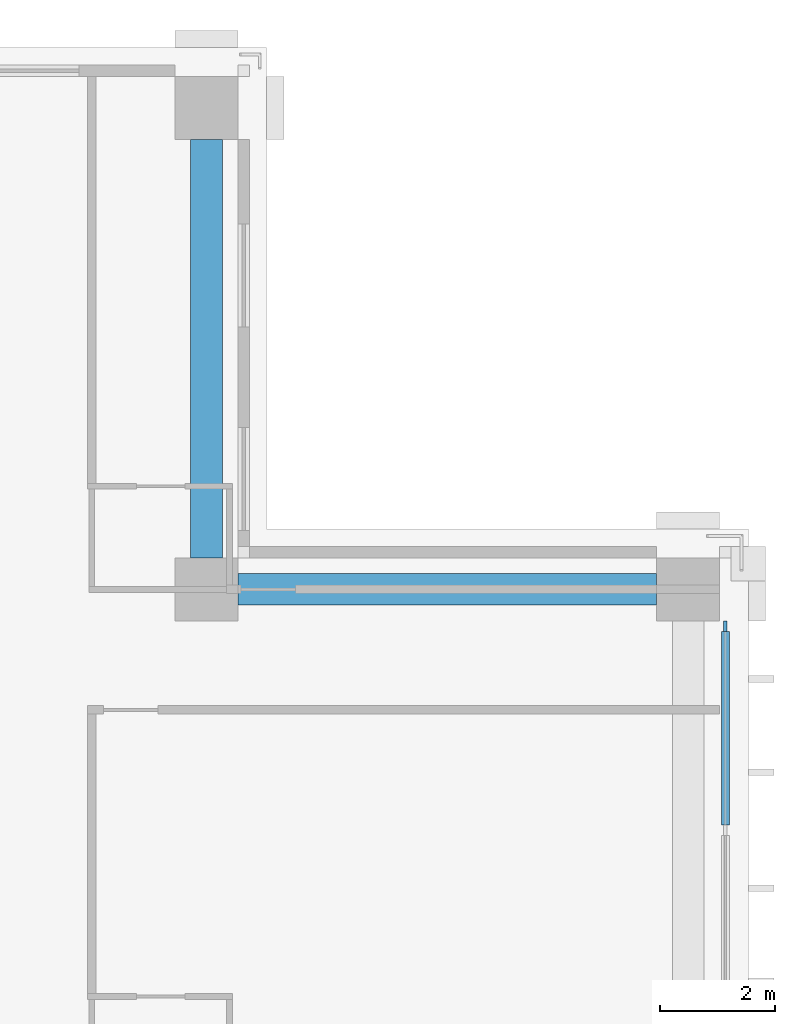
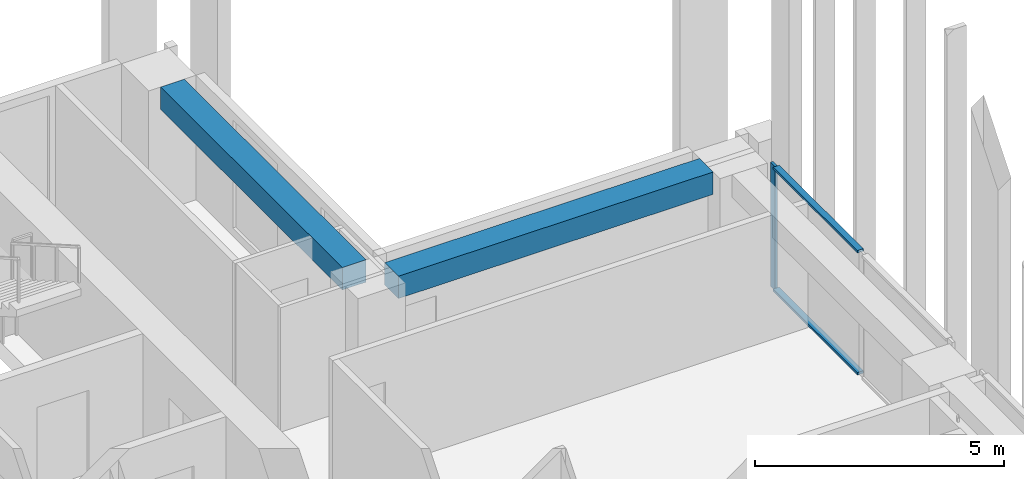
# One storey, part 7 of 16: 3 members, 2 beams, 1 element without a shape of its own.
"""IFC4 building model written with IfcOpenShell, lengths in metres."""

import ifcopenshell
import ifcopenshell.guid

model = None  # the IFC model being written
_history = None  # IfcOwnerHistory: only IFC2X3 demands one
_inside = {}  # id of a spatial element -> (the spatial element, [elements in it])
_under = {}  # id of a project, library or spatial element -> (it, [spatial elements below it])
_declared = {}  # id of a project -> (the project, [libraries it declares])
_typed = {}  # id of a type object -> (the type object, [elements of that type])
_made_of = {}  # id of a material, layer set ... -> (it, [elements and type objects made of it])


def new_model(schema):
    """Start an empty IFC model of exactly this schema.

    Asked for "IFC4X3", IfcOpenShell would pick the latest addendum, in which some entities
    have other attributes; the version numbers below select the first issue.
    IFC2X3 requires an IfcOwnerHistory on every rooted entity: one is made here for all.
    """
    global model, _history
    if schema == "IFC4X3":
        model = ifcopenshell.file(schema_version=(4, 3, 0, 0))
    else:
        model = ifcopenshell.file(schema=schema)
    _inside.clear()
    _under.clear()
    _declared.clear()
    _typed.clear()
    _made_of.clear()
    _history = None
    if model.schema == "IFC2X3":
        org = make("IfcOrganization", Name="unknown")
        user = make(
            "IfcPersonAndOrganization",
            ThePerson=make("IfcPerson", FamilyName="unknown"),
            TheOrganization=org,
        )
        app = make(
            "IfcApplication",
            ApplicationDeveloper=org,
            Version="unknown",
            ApplicationFullName="unknown",
            ApplicationIdentifier="unknown",
        )
        _history = make(
            "IfcOwnerHistory",
            OwningUser=user,
            OwningApplication=app,
            ChangeAction="ADDED",
            CreationDate=0,
        )
    return model


def make(cls, **values):
    """One entity of the class cls with the attributes given. An attribute that is None is left unset."""
    return model.create_entity(
        cls, **{name: value for name, value in values.items() if value is not None}
    )


def rooted(cls, **values):
    """An entity with a GlobalId (a new one), such as an element, a storey or a relation."""
    return make(cls, GlobalId=ifcopenshell.guid.new(), OwnerHistory=_history, **values)


def si_unit(unit_type, name, prefix=None):
    """IfcSIUnit, for example si_unit("LENGTHUNIT", "METRE", prefix="MILLI")."""
    return make("IfcSIUnit", UnitType=unit_type, Prefix=prefix, Name=name)


def assignment(units):
    """IfcUnitAssignment: the units of a project."""
    return None if units is None else make("IfcUnitAssignment", Units=units)


def point(xyz):
    """IfcCartesianPoint."""
    return None if xyz is None else make("IfcCartesianPoint", Coordinates=xyz)


def direction(xyz):
    """IfcDirection."""
    return None if xyz is None else make("IfcDirection", DirectionRatios=xyz)


def frame(location, z_axis=None, x_axis=None):
    """IfcAxis2Placement3D, a coordinate frame: its origin and axes. An axis left out is left unset."""
    return make(
        "IfcAxis2Placement3D",
        Location=point(location),
        Axis=direction(z_axis),
        RefDirection=direction(x_axis),
    )


def frame_2d(location, x_axis=None):
    """IfcAxis2Placement2D, a coordinate frame in the plane: its origin and x axis."""
    return make(
        "IfcAxis2Placement2D", Location=point(location), RefDirection=direction(x_axis)
    )


def origin():
    """The frame at (0, 0, 0) with its axes left unset."""
    return frame((0.0, 0.0, 0.0))


def origin_2d():
    """The frame at (0, 0) in the plane with its x axis left unset."""
    return frame_2d((0.0, 0.0))


def place(relative_to, where):
    """IfcLocalPlacement: puts the frame where relative to a parent placement (None: the world)."""
    return make(
        "IfcLocalPlacement", PlacementRelTo=relative_to, RelativePlacement=where
    )


def context(
    kind, dimensions, precision=None, world=None, true_north=None, identifier=None
):
    """IfcGeometricRepresentationContext, for example the 3D "Model" context."""
    return make(
        "IfcGeometricRepresentationContext",
        ContextIdentifier=identifier,
        ContextType=kind,
        CoordinateSpaceDimension=dimensions,
        Precision=precision,
        WorldCoordinateSystem=world,
        TrueNorth=true_north,
    )


def subcontext(parent, identifier, kind, view, scale=None):
    """IfcGeometricRepresentationSubContext, for example "Body" below "Model"."""
    return make(
        "IfcGeometricRepresentationSubContext",
        ContextIdentifier=identifier,
        ContextType=kind,
        ParentContext=parent,
        TargetScale=scale,
        TargetView=view,
    )


def project(units=None, contexts=None):
    """IfcProject with its units and contexts."""
    return rooted(
        "IfcProject",
        Name="project",
        RepresentationContexts=contexts,
        UnitsInContext=assignment(units),
    )


def spatial(cls, under=None, at=None, **own):
    """A site, building, storey or space (cls), placed at a placement, below another one or the project."""
    s = rooted(cls, ObjectPlacement=at, **own)
    if under is not None:
        _under.setdefault(under.id(), (under, []))[1].append(s)
    return s


def profile(cls, at=None, kind="AREA", **sizes):
    """A parametric profile (cls). Its sizes go by their IFC names, for example OverallWidth=200.0."""
    return make(cls, ProfileType=kind, Position=at, **sizes)


def rectangle(**sizes):
    """IfcRectangleProfileDef."""
    return profile("IfcRectangleProfileDef", **sizes)


def extrude(swept, where, along, depth):
    """IfcExtrudedAreaSolid: the profile swept, set in the frame where, extruded along a direction by depth."""
    return make(
        "IfcExtrudedAreaSolid",
        SweptArea=swept,
        Position=where,
        ExtrudedDirection=direction(along),
        Depth=depth,
    )


def shape(context_of_items, identifier, shape_type, items):
    """IfcShapeRepresentation: the items that make up one representation, for example the "Body"."""
    return make(
        "IfcShapeRepresentation",
        ContextOfItems=context_of_items,
        RepresentationIdentifier=identifier,
        RepresentationType=shape_type,
        Items=items,
    )


def material(Name=None, Category=None):
    """IfcMaterial."""
    return make("IfcMaterial", Name=Name, Category=Category)


def material_profile(
    of_material, cross_section, Name=None, Category=None, Priority=None
):
    """IfcMaterialProfile: a cross section and its material."""
    return make(
        "IfcMaterialProfile",
        Name=Name,
        Material=of_material,
        Profile=cross_section,
        Priority=Priority,
        Category=Category,
    )


def profile_set(profiles, Name=None, composite=None):
    """IfcMaterialProfileSet."""
    return make(
        "IfcMaterialProfileSet",
        Name=Name,
        MaterialProfiles=profiles,
        CompositeProfile=composite,
    )


def made_of(thing, what):
    """Note that an element or type object is made of a material, layer set ...; save() writes the relation."""
    if what is not None:
        _made_of.setdefault(what.id(), (what, []))[1].append(thing)
    return thing


def type_object(cls, material=None, **own):
    """A type object (cls), such as IfcWallType, which elements share."""
    return made_of(rooted(cls, **own), material)


def element(
    cls,
    number,
    at=None,
    inside=None,
    cuts=None,
    type_object=None,
    material=None,
    context=None,
    identifier="Body",
    shape_type=None,
    held_by="IfcProductDefinitionShape",
    body=None,
    shapes=None,
    **own,
):
    """One element of the class cls, such as IfcWall. Its Tag is "e" and its number.

    at: its placement. inside: the storey or other place that contains it. cuts: it is an
    opening in that element (IfcRelVoidsElement). A single representation is given by context,
    identifier, shape_type and body (its items); several are given by shapes. held_by: the class
    of the entity that holds the representations. save() writes the other relations.
    """
    e = rooted(cls, Tag="e%d" % number, ObjectPlacement=at, **own)
    if body is not None:
        shapes = [shape(context, identifier, shape_type, body)]
    if shapes is not None:
        e.Representation = make(held_by, Representations=shapes)
    if inside is not None:
        _inside.setdefault(inside.id(), (inside, []))[1].append(e)
    if cuts is not None:
        rooted(
            "IfcRelVoidsElement", RelatingBuildingElement=cuts, RelatedOpeningElement=e
        )
    if type_object is not None:
        _typed.setdefault(type_object.id(), (type_object, []))[1].append(e)
    return made_of(e, material)


def aggregate(whole, parts):
    """IfcRelAggregates: a whole, such as a stair, and the parts it consists of."""
    return rooted("IfcRelAggregates", RelatingObject=whole, RelatedObjects=parts)


def save(model, path):
    """Write the relations noted so far, then the file.

    IfcRelAggregates (storeys below a building ...), IfcRelContainedInSpatialStructure (elements
    in a storey), IfcRelDefinesByType, IfcRelAssociatesMaterial and IfcRelDeclares: one each for
    every whole, place, type object, material and project.
    """
    for whole, parts in _under.values():
        aggregate(whole, parts)
    for where, things in _inside.values():
        rooted(
            "IfcRelContainedInSpatialStructure",
            RelatedElements=things,
            RelatingStructure=where,
        )
    for kind, things in _typed.values():
        rooted("IfcRelDefinesByType", RelatedObjects=things, RelatingType=kind)
    for what, things in _made_of.values():
        rooted("IfcRelAssociatesMaterial", RelatedObjects=things, RelatingMaterial=what)
    for by, libraries in _declared.values():
        rooted("IfcRelDeclares", RelatingContext=by, RelatedDefinitions=libraries)
    model.write(path)


model = new_model("IFC4")

# Units and contexts
model_context = context("Model", 3, precision=1e-05, world=origin(), true_north=direction((0.0, 1.0)))
body_context = subcontext(model_context, "Body", "Model", "MODEL_VIEW")
ifc_project = project(units=[si_unit("LENGTHUNIT", "METRE"), si_unit("AREAUNIT", "SQUARE_METRE"), si_unit("VOLUMEUNIT", "CUBIC_METRE"), si_unit("PLANEANGLEUNIT", "RADIAN"), si_unit("MASSUNIT", "GRAM", prefix="KILO")], contexts=[model_context])

# Site, building, storey
site_placement = place(None, origin())
site = spatial("IfcSite", under=ifc_project, at=site_placement, CompositionType="ELEMENT")
building_placement = place(site_placement, origin())
building = spatial("IfcBuilding", under=site, at=building_placement, Name="Vermilion Ogive Tower", CompositionType="ELEMENT")
storey_placement = place(building_placement, frame((0.0, 0.0, 133.10009765625)))
storey = spatial("IfcBuildingStorey", under=building, at=storey_placement, Name="L33", CompositionType="ELEMENT", Elevation=133.10009765625)

# Curtain wall, members
ifc_material_1 = material(Name="Low-iron laminated glazing in aluminium frame", Category="aluminium")
curtain_wall_type = type_object("IfcCurtainWallType", Name="Curtain wall CW7", PredefinedType="NOTDEFINED", material=ifc_material_1)
curtain_wall_placement = place(storey_placement, origin())
curtain_wall = element("IfcCurtainWall", 1, at=curtain_wall_placement, inside=storey, type_object=curtain_wall_type, Name="Glazed skin E3", PredefinedType="NOTDEFINED")
ifc_material_2 = material(Name="Aluminium mullion", Category="aluminium")
ifc_material_profile_1 = material_profile(ifc_material_2, rectangle(XDim=0.06005859375, YDim=0.179931640625, at=origin_2d()), Name="AL 60x180")
ifc_profile_set_1 = profile_set([ifc_material_profile_1], Name="Aluminium mullion")
member_type_1 = type_object("IfcMemberType", Name="CW7 mullion 60x180", PredefinedType="MULLION", material=ifc_profile_set_1)
member_1_placement = place(storey_placement, frame((21.64990234375, 11.9599609375, 0.0), z_axis=(0.0, 0.0, 1.0), x_axis=(-1.0, 0.0, 0.0)))
member_1 = element("IfcMember", 2, at=member_1_placement, type_object=member_type_1, Name="CW7-E3 mullion 3", PredefinedType="MULLION", context=body_context, shape_type="SweptSolid", body=[
    extrude(rectangle(XDim=0.06005859375, YDim=0.179931640625, at=origin_2d()), origin(), (0.0, 0.0, 1.0), 3.0498046875),
])
ifc_material_3 = material(Name="Aluminium transom", Category="aluminium")
ifc_material_profile_2 = material_profile(ifc_material_3, rectangle(XDim=0.139892578125, YDim=0.06005859375, at=origin_2d()), Name="AL 60x140")
ifc_profile_set_2 = profile_set([ifc_material_profile_2], Name="Aluminium transom")
member_type_2 = type_object("IfcMemberType", Name="CW7 transom 60x140", PredefinedType="USERDEFINED", material=ifc_profile_set_2)
member_2_placement = place(storey_placement, frame((21.64990234375, 8.489990234375, 0.02978515625), z_axis=(0.0, 1.0, 0.0), x_axis=(-1.0, 0.0, 0.0)))
member_2 = element("IfcMember", 3, at=member_2_placement, type_object=member_type_2, Name="CW7-E3 transom 2.1", ObjectType="TRANSOM", PredefinedType="USERDEFINED", context=body_context, shape_type="SweptSolid", body=[
    extrude(rectangle(XDim=0.139892578125, YDim=0.06005859375, at=origin_2d()), origin(), (0.0, 0.0, 1.0), 3.380126953125),
])
member_3_placement = place(storey_placement, frame((21.64990234375, 8.489990234375, 3.02001953125), z_axis=(0.0, 1.0, 0.0), x_axis=(-1.0, 0.0, 0.0)))
member_3 = element("IfcMember", 4, at=member_3_placement, type_object=member_type_2, Name="CW7-E3 transom 2.2", ObjectType="TRANSOM", PredefinedType="USERDEFINED", context=body_context, shape_type="SweptSolid", body=[
    extrude(rectangle(XDim=0.139892578125, YDim=0.06005859375, at=origin_2d()), origin(), (0.0, 0.0, 1.0), 3.380126953125),
])
aggregate(curtain_wall, [member_1, member_2, member_3])

# Beams
ifc_material_4 = material(Name="Concrete B45", Category="concrete")
ifc_material_profile_3 = material_profile(ifc_material_4, rectangle(XDim=0.550048828125, YDim=0.550048828125, at=origin_2d()), Name="550 x 550")
ifc_profile_set_3 = profile_set([ifc_material_profile_3], Name="Concrete B45")
beam_type = type_object("IfcBeamType", Name="Edge beam 550 x 550 B45", PredefinedType="BEAM", material=ifc_profile_set_3)
for number, where, z_axis, x_axis, name in (
    (5, (20.449951171875, 12.60009765625, 2.77490234375), (-1.0, 0.0, 0.0), (0.0, -1.0, 0.0), "L33-EB-9"),
    (6, (12.60009765625, 13.14990234375, 2.77490234375), (0.0, 1.0, 0.0), (-1.0, 0.0, 0.0), "L33-EB-10"),
):
    element("IfcBeam", number, at=place(storey_placement, frame(where, z_axis=z_axis, x_axis=x_axis)), inside=storey, type_object=beam_type, Name=name, PredefinedType="BEAM", context=body_context, shape_type="SweptSolid", body=[
        extrude(rectangle(XDim=0.550048828125, YDim=0.550048828125, at=origin_2d()), origin(), (0.0, 0.0, 1.0), 7.300048828125),
    ])

save(model, "model.ifc")
